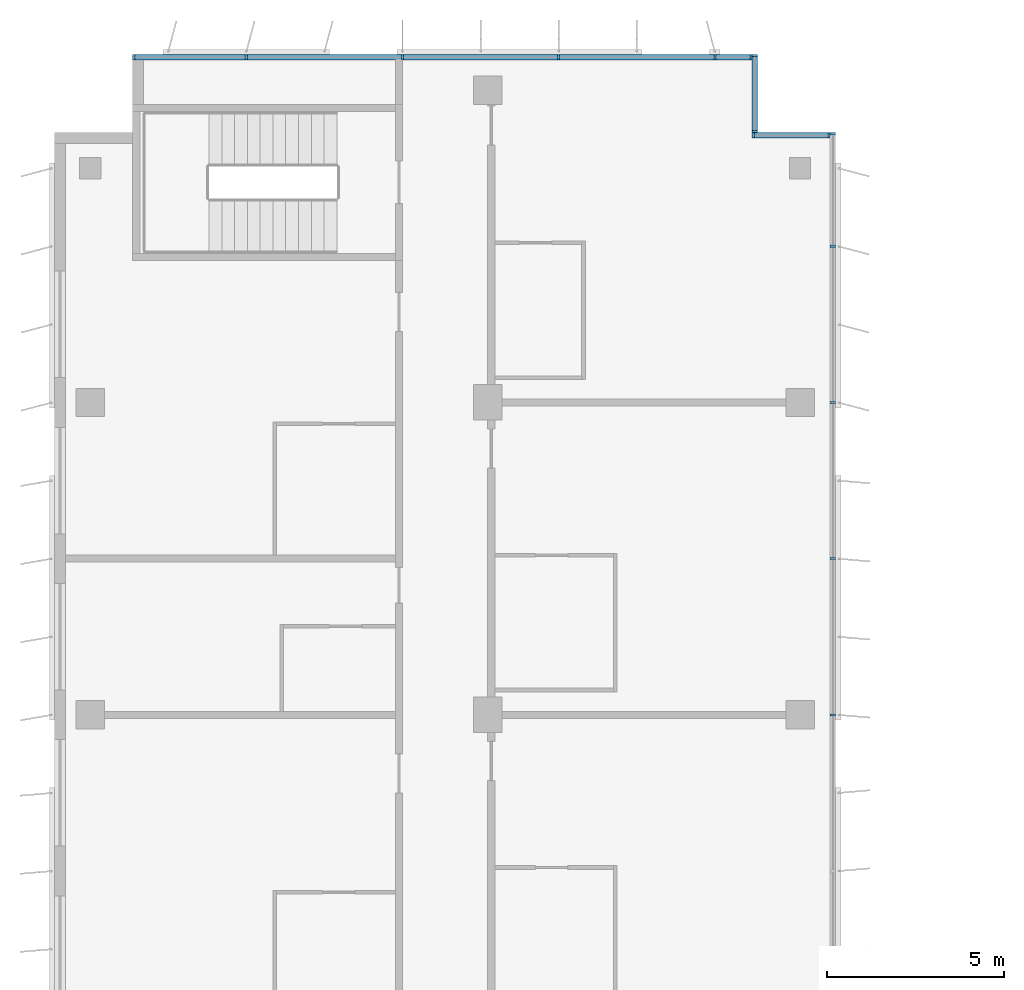
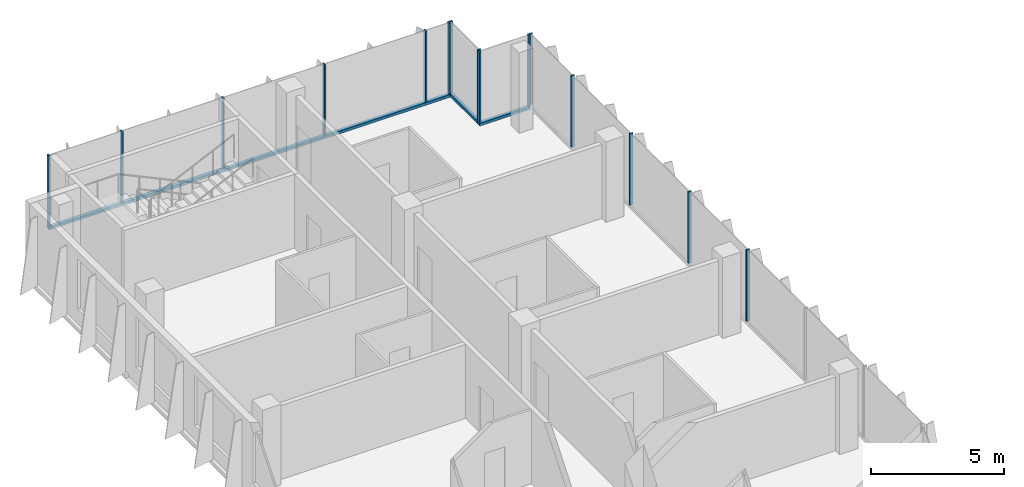
# One storey, part 6 of 15: 18 members, 4 elements without a shape of their own.
"""IFC4 building model written with IfcOpenShell, lengths in metres."""

from ifc_helpers import new_model, si_unit, direction, frame, origin, origin_2d, place, context, subcontext, project, spatial, rectangle, extrude, source, transform, mapped, material, material_profile, profile_set, type_object, element, aggregate, save


model = new_model("IFC4")

# Units and contexts
model_context = context("Model", 3, precision=1e-05, world=origin(), true_north=direction((0.0, 1.0)))
body_context = subcontext(model_context, "Body", "Model", "MODEL_VIEW")
ifc_project = project(units=[si_unit("LENGTHUNIT", "METRE"), si_unit("AREAUNIT", "SQUARE_METRE"), si_unit("VOLUMEUNIT", "CUBIC_METRE"), si_unit("PLANEANGLEUNIT", "RADIAN"), si_unit("MASSUNIT", "GRAM", prefix="KILO")], contexts=[model_context])

# Site, building, storey
site_placement = place(None, origin())
site = spatial("IfcSite", under=ifc_project, at=site_placement, CompositionType="ELEMENT")
building_placement = place(site_placement, origin())
building = spatial("IfcBuilding", under=site, at=building_placement, Name="Kemantara Hotel Tower", CompositionType="ELEMENT")
storey_placement = place(building_placement, frame((0.0, 0.0, 233.89990234375)))
storey = spatial("IfcBuildingStorey", under=building, at=storey_placement, Name="L58", CompositionType="ELEMENT", Elevation=233.89990234375)

# Curtain wall, member
ifc_material_1 = material(Name="Low-E tinted double insulated glass 36 mm", Category="glass")
curtain_wall_type = type_object("IfcCurtainWallType", Name="TOWER CURTAIN WALL, FRONT FACES", PredefinedType="USERDEFINED", material=ifc_material_1)
curtain_wall_1_placement = place(storey_placement, origin())
curtain_wall_1 = element("IfcCurtainWall", 1, at=curtain_wall_1_placement, inside=storey, type_object=curtain_wall_type, Name="CW4 L58 T4-R02-1", ObjectType="TOWER CURTAIN WALL, FRONT FACES", PredefinedType="USERDEFINED")
ifc_material_2 = material(Name="Aluminium 6063-T6 bronze anodised", Category="aluminium")
ifc_material_profile_1 = material_profile(ifc_material_2, rectangle(XDim=0.14990234375, YDim=0.1201171875, at=origin_2d()), Name="TOWER CURTAIN WALL, FRONT FACES TRANSOM")
ifc_profile_set_1 = profile_set([ifc_material_profile_1], Name="Aluminium 6063-T6 bronze anodised")
member_type_1 = type_object("IfcMemberType", Name="TOWER CURTAIN WALL, FRONT FACES TRANSOM", PredefinedType="USERDEFINED", material=ifc_profile_set_1)
member_1_placement = place(storey_placement, frame((19.64990234375, 63.52490234375, 0.06005859375), z_axis=(-1.0, 0.0, 0.0), x_axis=(0.0, -1.0, 0.0)))
member_1 = element("IfcMember", 2, at=member_1_placement, type_object=member_type_1, Name="CW4 sill transom T4-R02-1", ObjectType="TRANSOM", PredefinedType="USERDEFINED", context=body_context, shape_type="SweptSolid", body=[
    extrude(rectangle(XDim=0.14990234375, YDim=0.1201171875, at=origin_2d()), origin(), (0.0, 0.0, 1.0), 17.449951171875),
])

curtain_wall_2_placement = place(storey_placement, origin())
curtain_wall_2 = element("IfcCurtainWall", 3, at=curtain_wall_2_placement, inside=storey, type_object=curtain_wall_type, Name="CW4 L58 T4-R00-1", ObjectType="TOWER CURTAIN WALL, FRONT FACES", PredefinedType="USERDEFINED")
member_2_placement = place(storey_placement, frame((21.85009765625, 61.324951171875, 0.06005859375), z_axis=(-1.0, 0.0, 0.0), x_axis=(0.0, -1.0, 0.0)))
member_2 = element("IfcMember", 4, at=member_2_placement, type_object=member_type_1, Name="CW4 sill transom T4-R00-1", ObjectType="TRANSOM", PredefinedType="USERDEFINED", context=body_context, shape_type="SweptSolid", body=[
    extrude(rectangle(XDim=0.14990234375, YDim=0.1201171875, at=origin_2d()), origin(), (0.0, 0.0, 1.0), 2.2001953125),
])

curtain_wall_3_placement = place(storey_placement, origin())
curtain_wall_3 = element("IfcCurtainWall", 5, at=curtain_wall_3_placement, inside=storey, type_object=curtain_wall_type, Name="CW4 L58 T4-R01-1", ObjectType="TOWER CURTAIN WALL, FRONT FACES", PredefinedType="USERDEFINED")
member_3_placement = place(storey_placement, frame((19.72509765625, 61.39990234375, 0.06005859375), z_axis=(0.0, 1.0, 0.0), x_axis=(-1.0, 0.0, 0.0)))
member_3 = element("IfcMember", 6, at=member_3_placement, type_object=member_type_1, Name="CW4 sill transom T4-R01-1", ObjectType="TRANSOM", PredefinedType="USERDEFINED", context=body_context, shape_type="SweptSolid", body=[
    extrude(rectangle(XDim=0.14990234375, YDim=0.1201171875, at=origin_2d()), origin(), (0.0, 0.0, 1.0), 2.2001953125),
])

# Member
ifc_material_profile_2 = material_profile(ifc_material_2, rectangle(XDim=0.14990234375, YDim=0.06005859375, at=origin_2d()), Name="TOWER CURTAIN WALL, FRONT FACES MULLION")
ifc_profile_set_2 = profile_set([ifc_material_profile_2], Name="Aluminium 6063-T6 bronze anodised")
member_type_2 = type_object("IfcMemberType", Name="TOWER CURTAIN WALL, FRONT FACES MULLION", PredefinedType="MULLION", material=ifc_profile_set_2)
shared_shape = source(origin(), body_context, "Body", "SweptSolid", [
    extrude(rectangle(XDim=0.14990234375, YDim=0.06005859375, at=origin_2d()), origin(), (0.0, 0.0, 1.0), 3.280029296875),
])
member_4_placement = place(storey_placement, frame((19.6201171875, 63.52490234375, 0.1201171875), z_axis=(0.0, 0.0, 1.0), x_axis=(0.0, -1.0, 0.0)))
member_4 = element("IfcMember", 7, at=member_4_placement, type_object=member_type_2, Name="CW4 mullion T4-R02-1.1", PredefinedType="MULLION", context=body_context, shape_type="MappedRepresentation", body=[
    mapped(shared_shape, transform((0.0, 0.0, 0.0))),
])

member_5_placement = place(storey_placement, frame((18.60009765625, 63.52490234375, 0.1201171875), z_axis=(0.0, 0.0, 1.0), x_axis=(0.0, -1.0, 0.0)))
member_5 = element("IfcMember", 8, at=member_5_placement, type_object=member_type_2, Name="CW4 mullion T4-R02-1.2", PredefinedType="MULLION", context=body_context, shape_type="MappedRepresentation", body=[
    mapped(shared_shape, transform((0.0, 0.0, 0.0))),
])

member_6_placement = place(storey_placement, frame((14.199951171875, 63.52490234375, 0.1201171875), z_axis=(0.0, 0.0, 1.0), x_axis=(0.0, -1.0, 0.0)))
member_6 = element("IfcMember", 9, at=member_6_placement, type_object=member_type_2, Name="CW4 mullion T4-R02-1.3", PredefinedType="MULLION", context=body_context, shape_type="MappedRepresentation", body=[
    mapped(shared_shape, transform((0.0, 0.0, 0.0))),
])

member_7_placement = place(storey_placement, frame((9.800048828125, 63.52490234375, 0.1201171875), z_axis=(0.0, 0.0, 1.0), x_axis=(0.0, -1.0, 0.0)))
member_7 = element("IfcMember", 10, at=member_7_placement, type_object=member_type_2, Name="CW4 mullion T4-R02-1.4", PredefinedType="MULLION", context=body_context, shape_type="MappedRepresentation", body=[
    mapped(shared_shape, transform((0.0, 0.0, 0.0))),
])

member_8_placement = place(storey_placement, frame((5.39990234375, 63.52490234375, 0.1201171875), z_axis=(0.0, 0.0, 1.0), x_axis=(0.0, -1.0, 0.0)))
member_8 = element("IfcMember", 11, at=member_8_placement, type_object=member_type_2, Name="CW4 mullion T4-R02-1.5", PredefinedType="MULLION", context=body_context, shape_type="MappedRepresentation", body=[
    mapped(shared_shape, transform((0.0, 0.0, 0.0))),
])

member_9_placement = place(storey_placement, frame((2.22998046875, 63.52490234375, 0.1201171875), z_axis=(0.0, 0.0, 1.0), x_axis=(0.0, -1.0, 0.0)))
member_9 = element("IfcMember", 12, at=member_9_placement, type_object=member_type_2, Name="CW4 mullion T4-R02-1.6", PredefinedType="MULLION", context=body_context, shape_type="MappedRepresentation", body=[
    mapped(shared_shape, transform((0.0, 0.0, 0.0))),
])

aggregate(curtain_wall_1, [member_1, member_4, member_5, member_6, member_7, member_8, member_9])

# Curtain wall, members
curtain_wall_4_placement = place(storey_placement, origin())
curtain_wall_4 = element("IfcCurtainWall", 13, at=curtain_wall_4_placement, inside=storey, type_object=curtain_wall_type, Name="CW4 L58 T4-R15-1", ObjectType="TOWER CURTAIN WALL, FRONT FACES", PredefinedType="USERDEFINED")
member_10_placement = place(storey_placement, frame((21.925048828125, 45.0, 0.1201171875), z_axis=(0.0, 0.0, 1.0), x_axis=(-1.0, 0.0, 0.0)))
member_10 = element("IfcMember", 14, at=member_10_placement, type_object=member_type_2, Name="CW4 mullion T4-R15-1.6", PredefinedType="MULLION", context=body_context, shape_type="MappedRepresentation", body=[
    mapped(shared_shape, transform((0.0, 0.0, 0.0))),
])
member_11_placement = place(storey_placement, frame((21.925048828125, 49.39990234375, 0.1201171875), z_axis=(0.0, 0.0, 1.0), x_axis=(-1.0, 0.0, 0.0)))
member_11 = element("IfcMember", 15, at=member_11_placement, type_object=member_type_2, Name="CW4 mullion T4-R15-1.7", PredefinedType="MULLION", context=body_context, shape_type="MappedRepresentation", body=[
    mapped(shared_shape, transform((0.0, 0.0, 0.0))),
])
member_12_placement = place(storey_placement, frame((21.925048828125, 53.800048828125, 0.1201171875), z_axis=(0.0, 0.0, 1.0), x_axis=(-1.0, 0.0, 0.0)))
member_12 = element("IfcMember", 16, at=member_12_placement, type_object=member_type_2, Name="CW4 mullion T4-R15-1.8", PredefinedType="MULLION", context=body_context, shape_type="MappedRepresentation", body=[
    mapped(shared_shape, transform((0.0, 0.0, 0.0))),
])
member_13_placement = place(storey_placement, frame((21.925048828125, 58.199951171875, 0.1201171875), z_axis=(0.0, 0.0, 1.0), x_axis=(-1.0, 0.0, 0.0)))
member_13 = element("IfcMember", 17, at=member_13_placement, type_object=member_type_2, Name="CW4 mullion T4-R15-1.9", PredefinedType="MULLION", context=body_context, shape_type="MappedRepresentation", body=[
    mapped(shared_shape, transform((0.0, 0.0, 0.0))),
])
member_14_placement = place(storey_placement, frame((21.925048828125, 61.3701171875, 0.1201171875), z_axis=(0.0, 0.0, 1.0), x_axis=(-1.0, 0.0, 0.0)))
member_14 = element("IfcMember", 18, at=member_14_placement, type_object=member_type_2, Name="CW4 mullion T4-R15-1.10", PredefinedType="MULLION", context=body_context, shape_type="MappedRepresentation", body=[
    mapped(shared_shape, transform((0.0, 0.0, 0.0))),
])
aggregate(curtain_wall_4, [member_10, member_11, member_12, member_13, member_14])

# Member
member_15_placement = place(storey_placement, frame((21.820068359375, 61.324951171875, 0.1201171875), z_axis=(0.0, 0.0, 1.0), x_axis=(0.0, -1.0, 0.0)))
member_15 = element("IfcMember", 19, at=member_15_placement, type_object=member_type_2, Name="CW4 mullion T4-R00-1.1", PredefinedType="MULLION", context=body_context, shape_type="MappedRepresentation", body=[
    mapped(shared_shape, transform((0.0, 0.0, 0.0))),
])

member_16_placement = place(storey_placement, frame((19.679931640625, 61.324951171875, 0.1201171875), z_axis=(0.0, 0.0, 1.0), x_axis=(0.0, -1.0, 0.0)))
member_16 = element("IfcMember", 20, at=member_16_placement, type_object=member_type_2, Name="CW4 mullion T4-R00-1.2", PredefinedType="MULLION", context=body_context, shape_type="MappedRepresentation", body=[
    mapped(shared_shape, transform((0.0, 0.0, 0.0))),
])

aggregate(curtain_wall_2, [member_2, member_15, member_16])

member_17_placement = place(storey_placement, frame((19.72509765625, 61.429931640625, 0.1201171875), z_axis=(0.0, 0.0, 1.0), x_axis=(-1.0, 0.0, 0.0)))
member_17 = element("IfcMember", 21, at=member_17_placement, type_object=member_type_2, Name="CW4 mullion T4-R01-1.1", PredefinedType="MULLION", context=body_context, shape_type="MappedRepresentation", body=[
    mapped(shared_shape, transform((0.0, 0.0, 0.0))),
])

member_18_placement = place(storey_placement, frame((19.72509765625, 63.570068359375, 0.1201171875), z_axis=(0.0, 0.0, 1.0), x_axis=(-1.0, 0.0, 0.0)))
member_18 = element("IfcMember", 22, at=member_18_placement, type_object=member_type_2, Name="CW4 mullion T4-R01-1.2", PredefinedType="MULLION", context=body_context, shape_type="MappedRepresentation", body=[
    mapped(shared_shape, transform((0.0, 0.0, 0.0))),
])

aggregate(curtain_wall_3, [member_3, member_17, member_18])

save(model, "model.ifc")
